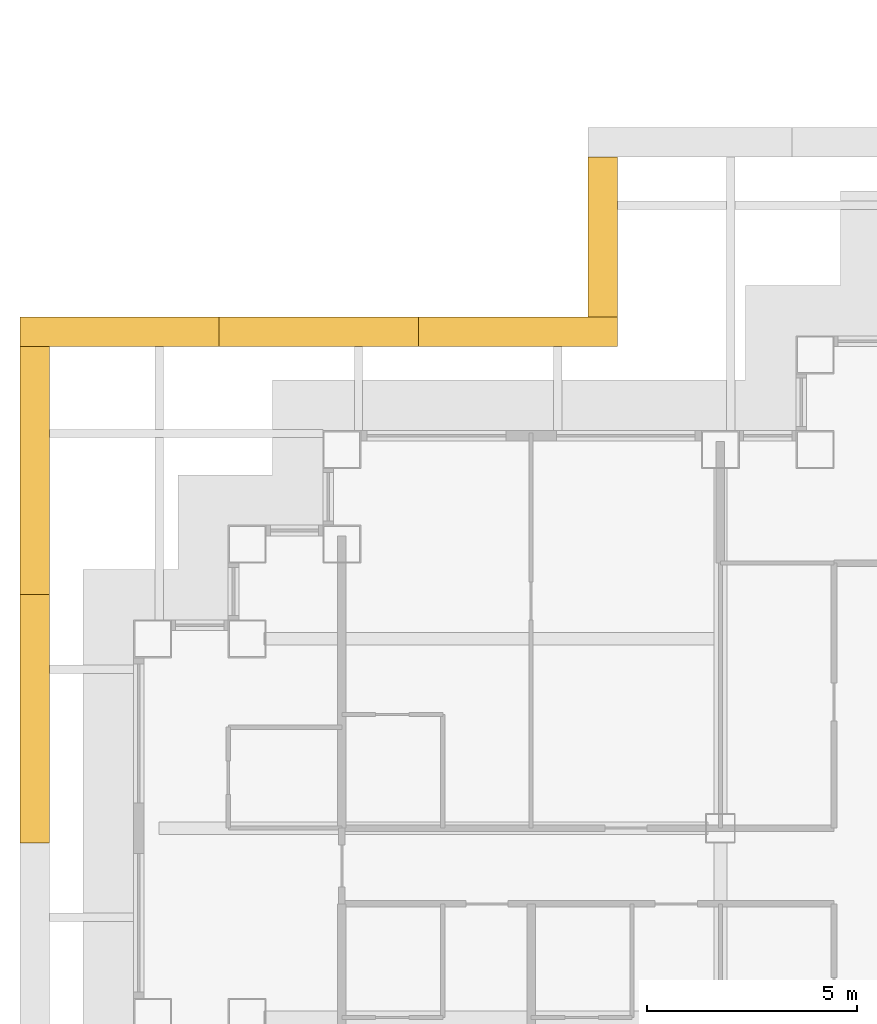
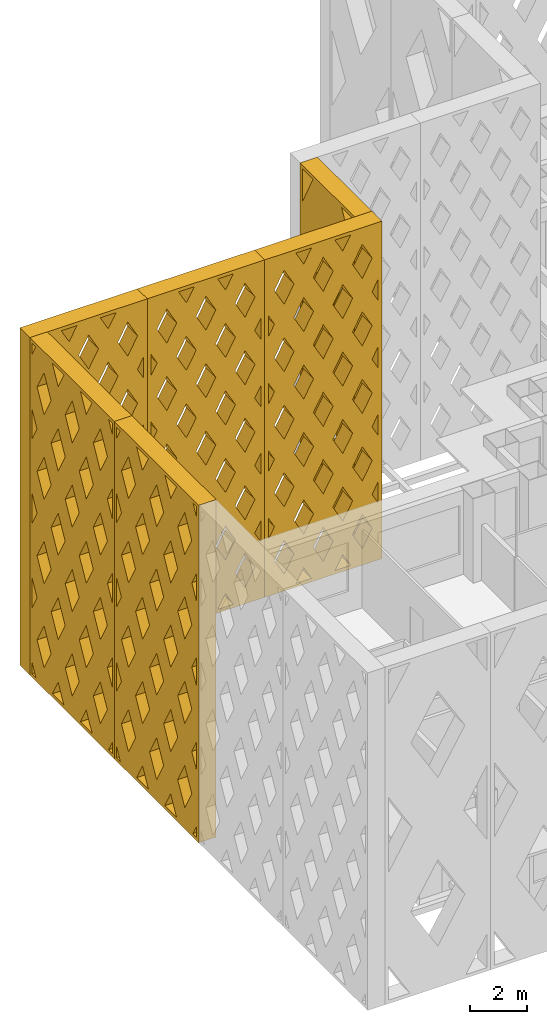
# One storey, part 17 of 21: 6 shading devices.
"""IFC4 building model written with IfcOpenShell, lengths in metres."""

from ifc_helpers import new_model, si_unit, direction, frame, origin, place, context, subcontext, project, spatial, polyline, outline, extrude, material, type_object, element, save


model = new_model("IFC4")

# Units and contexts
model_context = context("Model", 3, precision=1e-05, world=origin(), true_north=direction((0.0, 1.0)))
body_context = subcontext(model_context, "Body", "Model", "MODEL_VIEW")
ifc_project = project(units=[si_unit("LENGTHUNIT", "METRE"), si_unit("AREAUNIT", "SQUARE_METRE"), si_unit("VOLUMEUNIT", "CUBIC_METRE"), si_unit("PLANEANGLEUNIT", "RADIAN"), si_unit("MASSUNIT", "GRAM", prefix="KILO")], contexts=[model_context])

# Site, building, storey
site_placement = place(None, origin())
site = spatial("IfcSite", under=ifc_project, at=site_placement, CompositionType="ELEMENT")
building_placement = place(site_placement, origin())
building = spatial("IfcBuilding", under=site, at=building_placement, Name="Caravel Reach Hotel and Residences", CompositionType="ELEMENT")
storey_placement = place(building_placement, frame((0.0, 0.0, 100.800048828125)))
storey = spatial("IfcBuildingStorey", under=building, at=storey_placement, Name="L24", CompositionType="ELEMENT", Elevation=100.800048828125)

# Shading devices
ifc_material_1 = material(Name="Black powder-coated aluminium", Category="aluminium")
shading_device_type_1 = type_object("IfcShadingDeviceType", Name="Diamond lattice screen panel 3800 x 14400", PredefinedType="USERDEFINED", material=ifc_material_1)
shading_device_1_placement = place(storey_placement, frame((11.050048828125, 42.949951171875, 0.0), z_axis=(-1.0, 0.0, 0.0), x_axis=(0.0, -1.0, 0.0)))
element("IfcShadingDevice", 1, at=shading_device_1_placement, inside=storey, type_object=shading_device_type_1, Name="Lattice screen L24-L27 15.1", ObjectType="SCREEN", PredefinedType="USERDEFINED", context=body_context, shape_type="SweptSolid", body=[
    extrude(outline(polyline([(0.0, 0.0), (3.800048828125, 0.0), (3.800048828125, 14.39990234375), (0.0, 14.39990234375), (0.0, 0.0)]), holes=[polyline([(0.9013671875, 0.14990234375), (0.14990234375, 1.573486328125), (0.14990234375, 0.14990234375), (0.9013671875, 0.14990234375)]), polyline([(0.98046875, 7.199951171875), (0.14990234375, 8.7734375), (0.14990234375, 5.62646484375), (0.98046875, 7.199951171875)]), polyline([(0.14990234375, 12.826416015625), (0.9013671875, 14.25), (0.14990234375, 14.25), (0.14990234375, 12.826416015625)]), polyline([(1.89990234375, 5.457763671875), (0.91943359375, 3.60009765625), (1.89990234375, 1.7421875), (2.88037109375, 3.60009765625), (1.89990234375, 5.457763671875)]), polyline([(1.89990234375, 12.65771484375), (0.91943359375, 10.800048828125), (1.89990234375, 8.9423828125), (2.88037109375, 10.800048828125), (1.89990234375, 12.65771484375)]), polyline([(3.64990234375, 1.573486328125), (2.898681640625, 0.14990234375), (3.64990234375, 0.14990234375), (3.64990234375, 1.573486328125)]), polyline([(2.819580078125, 7.199951171875), (3.64990234375, 5.62646484375), (3.64990234375, 8.7734375), (2.819580078125, 7.199951171875)]), polyline([(2.898681640625, 14.25), (3.64990234375, 12.826416015625), (3.64990234375, 14.25), (2.898681640625, 14.25)])]), origin(), (0.0, 0.0, 1.0), 0.699951171875),
])
ifc_material_2 = material(Name="Black powder-coated aluminium", Category="aluminium")
shading_device_type_2 = type_object("IfcShadingDeviceType", Name="Diamond lattice screen panel 4733 x 14400", PredefinedType="USERDEFINED", material=ifc_material_2)
shading_device_2_placement = place(storey_placement, frame((11.050048828125, 38.449951171875, 0.0), z_axis=(0.0, 1.0, 0.0), x_axis=(-1.0, 0.0, 0.0)))
element("IfcShadingDevice", 2, at=shading_device_2_placement, inside=storey, type_object=shading_device_type_2, Name="Lattice screen L24-L27 16.1", ObjectType="SCREEN", PredefinedType="USERDEFINED", context=body_context, shape_type="SweptSolid", body=[
    extrude(outline(polyline([(0.0, 0.0), (4.7333984375, 0.0), (4.7333984375, 14.39990234375), (0.0, 14.39990234375), (0.0, 0.0)]), holes=[polyline([(0.39892578125, 2.8798828125), (0.14990234375, 3.334228515625), (0.14990234375, 2.42578125), (0.39892578125, 2.8798828125)]), polyline([(0.39892578125, 5.760009765625), (0.14990234375, 6.21435546875), (0.14990234375, 5.3056640625), (0.39892578125, 5.760009765625)]), polyline([(0.39892578125, 8.639892578125), (0.14990234375, 9.09423828125), (0.14990234375, 8.185791015625), (0.39892578125, 8.639892578125)]), polyline([(0.39892578125, 11.52001953125), (0.14990234375, 11.974365234375), (0.14990234375, 11.065673828125), (0.39892578125, 11.52001953125)]), polyline([(0.788818359375, 2.16796875), (0.39013671875, 1.43994140625), (0.788818359375, 0.7119140625), (1.187744140625, 1.43994140625), (0.788818359375, 2.16796875)]), polyline([(0.788818359375, 5.048095703125), (0.39013671875, 4.320068359375), (0.788818359375, 3.592041015625), (1.187744140625, 4.320068359375), (0.788818359375, 5.048095703125)]), polyline([(0.788818359375, 7.927978515625), (0.39013671875, 7.199951171875), (0.788818359375, 6.471923828125), (1.187744140625, 7.199951171875), (0.788818359375, 7.927978515625)]), polyline([(0.788818359375, 10.80810546875), (0.39013671875, 10.080078125), (0.788818359375, 9.35205078125), (1.187744140625, 10.080078125), (0.788818359375, 10.80810546875)]), polyline([(0.788818359375, 13.68798828125), (0.39013671875, 12.9599609375), (0.788818359375, 12.23193359375), (1.187744140625, 12.9599609375), (0.788818359375, 13.68798828125)]), polyline([(1.577880859375, 0.72802734375), (1.260986328125, 0.14990234375), (1.89453125, 0.14990234375), (1.577880859375, 0.72802734375)]), polyline([(1.577880859375, 3.608154296875), (1.178955078125, 2.8798828125), (1.577880859375, 2.15185546875), (1.9765625, 2.8798828125), (1.577880859375, 3.608154296875)]), polyline([(1.577880859375, 6.488037109375), (1.178955078125, 5.760009765625), (1.577880859375, 5.031982421875), (1.9765625, 5.760009765625), (1.577880859375, 6.488037109375)]), polyline([(1.577880859375, 9.3681640625), (1.178955078125, 8.639892578125), (1.577880859375, 7.911865234375), (1.9765625, 8.639892578125), (1.577880859375, 9.3681640625)]), polyline([(1.577880859375, 12.248046875), (1.178955078125, 11.52001953125), (1.577880859375, 10.7919921875), (1.9765625, 11.52001953125), (1.577880859375, 12.248046875)]), polyline([(1.577880859375, 13.671875), (1.89453125, 14.25), (1.260986328125, 14.25), (1.577880859375, 13.671875)]), polyline([(2.36669921875, 2.16796875), (1.9677734375, 1.43994140625), (2.36669921875, 0.7119140625), (2.765625, 1.43994140625), (2.36669921875, 2.16796875)]), polyline([(2.36669921875, 5.048095703125), (1.9677734375, 4.320068359375), (2.36669921875, 3.592041015625), (2.765625, 4.320068359375), (2.36669921875, 5.048095703125)]), polyline([(2.36669921875, 7.927978515625), (1.9677734375, 7.199951171875), (2.36669921875, 6.471923828125), (2.765625, 7.199951171875), (2.36669921875, 7.927978515625)]), polyline([(2.36669921875, 10.80810546875), (1.9677734375, 10.080078125), (2.36669921875, 9.35205078125), (2.765625, 10.080078125), (2.36669921875, 10.80810546875)]), polyline([(2.36669921875, 13.68798828125), (1.9677734375, 12.9599609375), (2.36669921875, 12.23193359375), (2.765625, 12.9599609375), (2.36669921875, 13.68798828125)]), polyline([(3.155517578125, 0.72802734375), (2.8388671875, 0.14990234375), (3.47216796875, 0.14990234375), (3.155517578125, 0.72802734375)]), polyline([(3.155517578125, 3.608154296875), (2.756591796875, 2.8798828125), (3.155517578125, 2.15185546875), (3.554443359375, 2.8798828125), (3.155517578125, 3.608154296875)]), polyline([(3.155517578125, 6.488037109375), (2.756591796875, 5.760009765625), (3.155517578125, 5.031982421875), (3.554443359375, 5.760009765625), (3.155517578125, 6.488037109375)]), polyline([(3.155517578125, 9.3681640625), (2.756591796875, 8.639892578125), (3.155517578125, 7.911865234375), (3.554443359375, 8.639892578125), (3.155517578125, 9.3681640625)]), polyline([(3.155517578125, 12.248046875), (2.756591796875, 11.52001953125), (3.155517578125, 10.7919921875), (3.554443359375, 11.52001953125), (3.155517578125, 12.248046875)]), polyline([(3.155517578125, 13.671875), (3.47216796875, 14.25), (2.8388671875, 14.25), (3.155517578125, 13.671875)]), polyline([(3.9443359375, 2.16796875), (3.545654296875, 1.43994140625), (3.9443359375, 0.7119140625), (4.34326171875, 1.43994140625), (3.9443359375, 2.16796875)]), polyline([(3.9443359375, 5.048095703125), (3.545654296875, 4.320068359375), (3.9443359375, 3.592041015625), (4.34326171875, 4.320068359375), (3.9443359375, 5.048095703125)]), polyline([(3.9443359375, 7.927978515625), (3.545654296875, 7.199951171875), (3.9443359375, 6.471923828125), (4.34326171875, 7.199951171875), (3.9443359375, 7.927978515625)]), polyline([(3.9443359375, 10.80810546875), (3.545654296875, 10.080078125), (3.9443359375, 9.35205078125), (4.34326171875, 10.080078125), (3.9443359375, 10.80810546875)]), polyline([(3.9443359375, 13.68798828125), (3.545654296875, 12.9599609375), (3.9443359375, 12.23193359375), (4.34326171875, 12.9599609375), (3.9443359375, 13.68798828125)]), polyline([(4.33447265625, 2.8798828125), (4.583251953125, 2.42578125), (4.583251953125, 3.334228515625), (4.33447265625, 2.8798828125)]), polyline([(4.33447265625, 5.760009765625), (4.583251953125, 5.3056640625), (4.583251953125, 6.21435546875), (4.33447265625, 5.760009765625)]), polyline([(4.33447265625, 8.639892578125), (4.583251953125, 8.185791015625), (4.583251953125, 9.09423828125), (4.33447265625, 8.639892578125)]), polyline([(4.33447265625, 11.52001953125), (4.583251953125, 11.065673828125), (4.583251953125, 11.974365234375), (4.33447265625, 11.52001953125)])]), origin(), (0.0, 0.0, 1.0), 0.699951171875),
])
shading_device_3_placement = place(storey_placement, frame((6.316650390625, 38.449951171875, 0.0), z_axis=(0.0, 1.0, 0.0), x_axis=(-1.0, 0.0, 0.0)))
element("IfcShadingDevice", 3, at=shading_device_3_placement, inside=storey, type_object=shading_device_type_2, Name="Lattice screen L24-L27 16.2", ObjectType="SCREEN", PredefinedType="USERDEFINED", context=body_context, shape_type="SweptSolid", body=[
    extrude(outline(polyline([(0.0, 0.0), (4.7333984375, 0.0), (4.7333984375, 14.39990234375), (0.0, 14.39990234375), (0.0, 0.0)]), holes=[polyline([(0.39892578125, 2.8798828125), (0.14990234375, 3.334228515625), (0.14990234375, 2.42578125), (0.39892578125, 2.8798828125)]), polyline([(0.39892578125, 5.760009765625), (0.14990234375, 6.21435546875), (0.14990234375, 5.3056640625), (0.39892578125, 5.760009765625)]), polyline([(0.39892578125, 8.639892578125), (0.14990234375, 9.09423828125), (0.14990234375, 8.185791015625), (0.39892578125, 8.639892578125)]), polyline([(0.39892578125, 11.52001953125), (0.14990234375, 11.974365234375), (0.14990234375, 11.065673828125), (0.39892578125, 11.52001953125)]), polyline([(0.788818359375, 2.16796875), (0.39013671875, 1.43994140625), (0.788818359375, 0.7119140625), (1.187744140625, 1.43994140625), (0.788818359375, 2.16796875)]), polyline([(0.788818359375, 5.048095703125), (0.39013671875, 4.320068359375), (0.788818359375, 3.592041015625), (1.187744140625, 4.320068359375), (0.788818359375, 5.048095703125)]), polyline([(0.788818359375, 7.927978515625), (0.39013671875, 7.199951171875), (0.788818359375, 6.471923828125), (1.187744140625, 7.199951171875), (0.788818359375, 7.927978515625)]), polyline([(0.788818359375, 10.80810546875), (0.39013671875, 10.080078125), (0.788818359375, 9.35205078125), (1.187744140625, 10.080078125), (0.788818359375, 10.80810546875)]), polyline([(0.788818359375, 13.68798828125), (0.39013671875, 12.9599609375), (0.788818359375, 12.23193359375), (1.187744140625, 12.9599609375), (0.788818359375, 13.68798828125)]), polyline([(1.577880859375, 0.72802734375), (1.260986328125, 0.14990234375), (1.89453125, 0.14990234375), (1.577880859375, 0.72802734375)]), polyline([(1.577880859375, 3.608154296875), (1.178955078125, 2.8798828125), (1.577880859375, 2.15185546875), (1.9765625, 2.8798828125), (1.577880859375, 3.608154296875)]), polyline([(1.577880859375, 6.488037109375), (1.178955078125, 5.760009765625), (1.577880859375, 5.031982421875), (1.9765625, 5.760009765625), (1.577880859375, 6.488037109375)]), polyline([(1.577880859375, 9.3681640625), (1.178955078125, 8.639892578125), (1.577880859375, 7.911865234375), (1.9765625, 8.639892578125), (1.577880859375, 9.3681640625)]), polyline([(1.577880859375, 12.248046875), (1.178955078125, 11.52001953125), (1.577880859375, 10.7919921875), (1.9765625, 11.52001953125), (1.577880859375, 12.248046875)]), polyline([(1.577880859375, 13.671875), (1.89453125, 14.25), (1.260986328125, 14.25), (1.577880859375, 13.671875)]), polyline([(2.36669921875, 2.16796875), (1.9677734375, 1.43994140625), (2.36669921875, 0.7119140625), (2.765625, 1.43994140625), (2.36669921875, 2.16796875)]), polyline([(2.36669921875, 5.048095703125), (1.9677734375, 4.320068359375), (2.36669921875, 3.592041015625), (2.765625, 4.320068359375), (2.36669921875, 5.048095703125)]), polyline([(2.36669921875, 7.927978515625), (1.9677734375, 7.199951171875), (2.36669921875, 6.471923828125), (2.765625, 7.199951171875), (2.36669921875, 7.927978515625)]), polyline([(2.36669921875, 10.80810546875), (1.9677734375, 10.080078125), (2.36669921875, 9.35205078125), (2.765625, 10.080078125), (2.36669921875, 10.80810546875)]), polyline([(2.36669921875, 13.68798828125), (1.9677734375, 12.9599609375), (2.36669921875, 12.23193359375), (2.765625, 12.9599609375), (2.36669921875, 13.68798828125)]), polyline([(3.155517578125, 0.72802734375), (2.8388671875, 0.14990234375), (3.47216796875, 0.14990234375), (3.155517578125, 0.72802734375)]), polyline([(3.155517578125, 3.608154296875), (2.756591796875, 2.8798828125), (3.155517578125, 2.15185546875), (3.554443359375, 2.8798828125), (3.155517578125, 3.608154296875)]), polyline([(3.155517578125, 6.488037109375), (2.756591796875, 5.760009765625), (3.155517578125, 5.031982421875), (3.554443359375, 5.760009765625), (3.155517578125, 6.488037109375)]), polyline([(3.155517578125, 9.3681640625), (2.756591796875, 8.639892578125), (3.155517578125, 7.911865234375), (3.554443359375, 8.639892578125), (3.155517578125, 9.3681640625)]), polyline([(3.155517578125, 12.248046875), (2.756591796875, 11.52001953125), (3.155517578125, 10.7919921875), (3.554443359375, 11.52001953125), (3.155517578125, 12.248046875)]), polyline([(3.155517578125, 13.671875), (3.47216796875, 14.25), (2.8388671875, 14.25), (3.155517578125, 13.671875)]), polyline([(3.9443359375, 2.16796875), (3.545654296875, 1.43994140625), (3.9443359375, 0.7119140625), (4.34326171875, 1.43994140625), (3.9443359375, 2.16796875)]), polyline([(3.9443359375, 5.048095703125), (3.545654296875, 4.320068359375), (3.9443359375, 3.592041015625), (4.34326171875, 4.320068359375), (3.9443359375, 5.048095703125)]), polyline([(3.9443359375, 7.927978515625), (3.545654296875, 7.199951171875), (3.9443359375, 6.471923828125), (4.34326171875, 7.199951171875), (3.9443359375, 7.927978515625)]), polyline([(3.9443359375, 10.80810546875), (3.545654296875, 10.080078125), (3.9443359375, 9.35205078125), (4.34326171875, 10.080078125), (3.9443359375, 10.80810546875)]), polyline([(3.9443359375, 13.68798828125), (3.545654296875, 12.9599609375), (3.9443359375, 12.23193359375), (4.34326171875, 12.9599609375), (3.9443359375, 13.68798828125)]), polyline([(4.33447265625, 2.8798828125), (4.583251953125, 2.42578125), (4.583251953125, 3.334228515625), (4.33447265625, 2.8798828125)]), polyline([(4.33447265625, 5.760009765625), (4.583251953125, 5.3056640625), (4.583251953125, 6.21435546875), (4.33447265625, 5.760009765625)]), polyline([(4.33447265625, 8.639892578125), (4.583251953125, 8.185791015625), (4.583251953125, 9.09423828125), (4.33447265625, 8.639892578125)]), polyline([(4.33447265625, 11.52001953125), (4.583251953125, 11.065673828125), (4.583251953125, 11.974365234375), (4.33447265625, 11.52001953125)])]), origin(), (0.0, 0.0, 1.0), 0.699951171875),
])
shading_device_4_placement = place(storey_placement, frame((1.583251953125, 38.449951171875, 0.0), z_axis=(0.0, 1.0, 0.0), x_axis=(-1.0, 0.0, 0.0)))
element("IfcShadingDevice", 4, at=shading_device_4_placement, inside=storey, type_object=shading_device_type_2, Name="Lattice screen L24-L27 16.3", ObjectType="SCREEN", PredefinedType="USERDEFINED", context=body_context, shape_type="SweptSolid", body=[
    extrude(outline(polyline([(0.0, 0.0), (4.7333984375, 0.0), (4.7333984375, 14.39990234375), (0.0, 14.39990234375), (0.0, 0.0)]), holes=[polyline([(0.39892578125, 2.8798828125), (0.14990234375, 3.334228515625), (0.14990234375, 2.42578125), (0.39892578125, 2.8798828125)]), polyline([(0.39892578125, 5.760009765625), (0.14990234375, 6.21435546875), (0.14990234375, 5.3056640625), (0.39892578125, 5.760009765625)]), polyline([(0.39892578125, 8.639892578125), (0.14990234375, 9.09423828125), (0.14990234375, 8.185791015625), (0.39892578125, 8.639892578125)]), polyline([(0.39892578125, 11.52001953125), (0.14990234375, 11.974365234375), (0.14990234375, 11.065673828125), (0.39892578125, 11.52001953125)]), polyline([(0.788818359375, 2.16796875), (0.39013671875, 1.43994140625), (0.788818359375, 0.7119140625), (1.187744140625, 1.43994140625), (0.788818359375, 2.16796875)]), polyline([(0.788818359375, 5.048095703125), (0.39013671875, 4.320068359375), (0.788818359375, 3.592041015625), (1.187744140625, 4.320068359375), (0.788818359375, 5.048095703125)]), polyline([(0.788818359375, 7.927978515625), (0.39013671875, 7.199951171875), (0.788818359375, 6.471923828125), (1.187744140625, 7.199951171875), (0.788818359375, 7.927978515625)]), polyline([(0.788818359375, 10.80810546875), (0.39013671875, 10.080078125), (0.788818359375, 9.35205078125), (1.187744140625, 10.080078125), (0.788818359375, 10.80810546875)]), polyline([(0.788818359375, 13.68798828125), (0.39013671875, 12.9599609375), (0.788818359375, 12.23193359375), (1.187744140625, 12.9599609375), (0.788818359375, 13.68798828125)]), polyline([(1.577880859375, 0.72802734375), (1.260986328125, 0.14990234375), (1.89453125, 0.14990234375), (1.577880859375, 0.72802734375)]), polyline([(1.577880859375, 3.608154296875), (1.178955078125, 2.8798828125), (1.577880859375, 2.15185546875), (1.9765625, 2.8798828125), (1.577880859375, 3.608154296875)]), polyline([(1.577880859375, 6.488037109375), (1.178955078125, 5.760009765625), (1.577880859375, 5.031982421875), (1.9765625, 5.760009765625), (1.577880859375, 6.488037109375)]), polyline([(1.577880859375, 9.3681640625), (1.178955078125, 8.639892578125), (1.577880859375, 7.911865234375), (1.9765625, 8.639892578125), (1.577880859375, 9.3681640625)]), polyline([(1.577880859375, 12.248046875), (1.178955078125, 11.52001953125), (1.577880859375, 10.7919921875), (1.9765625, 11.52001953125), (1.577880859375, 12.248046875)]), polyline([(1.577880859375, 13.671875), (1.89453125, 14.25), (1.260986328125, 14.25), (1.577880859375, 13.671875)]), polyline([(2.36669921875, 2.16796875), (1.9677734375, 1.43994140625), (2.36669921875, 0.7119140625), (2.765625, 1.43994140625), (2.36669921875, 2.16796875)]), polyline([(2.36669921875, 5.048095703125), (1.9677734375, 4.320068359375), (2.36669921875, 3.592041015625), (2.765625, 4.320068359375), (2.36669921875, 5.048095703125)]), polyline([(2.36669921875, 7.927978515625), (1.9677734375, 7.199951171875), (2.36669921875, 6.471923828125), (2.765625, 7.199951171875), (2.36669921875, 7.927978515625)]), polyline([(2.36669921875, 10.80810546875), (1.9677734375, 10.080078125), (2.36669921875, 9.35205078125), (2.765625, 10.080078125), (2.36669921875, 10.80810546875)]), polyline([(2.36669921875, 13.68798828125), (1.9677734375, 12.9599609375), (2.36669921875, 12.23193359375), (2.765625, 12.9599609375), (2.36669921875, 13.68798828125)]), polyline([(3.155517578125, 0.72802734375), (2.8388671875, 0.14990234375), (3.47216796875, 0.14990234375), (3.155517578125, 0.72802734375)]), polyline([(3.155517578125, 3.608154296875), (2.756591796875, 2.8798828125), (3.155517578125, 2.15185546875), (3.554443359375, 2.8798828125), (3.155517578125, 3.608154296875)]), polyline([(3.155517578125, 6.488037109375), (2.756591796875, 5.760009765625), (3.155517578125, 5.031982421875), (3.554443359375, 5.760009765625), (3.155517578125, 6.488037109375)]), polyline([(3.155517578125, 9.3681640625), (2.756591796875, 8.639892578125), (3.155517578125, 7.911865234375), (3.554443359375, 8.639892578125), (3.155517578125, 9.3681640625)]), polyline([(3.155517578125, 12.248046875), (2.756591796875, 11.52001953125), (3.155517578125, 10.7919921875), (3.554443359375, 11.52001953125), (3.155517578125, 12.248046875)]), polyline([(3.155517578125, 13.671875), (3.47216796875, 14.25), (2.8388671875, 14.25), (3.155517578125, 13.671875)]), polyline([(3.9443359375, 2.16796875), (3.545654296875, 1.43994140625), (3.9443359375, 0.7119140625), (4.34326171875, 1.43994140625), (3.9443359375, 2.16796875)]), polyline([(3.9443359375, 5.048095703125), (3.545654296875, 4.320068359375), (3.9443359375, 3.592041015625), (4.34326171875, 4.320068359375), (3.9443359375, 5.048095703125)]), polyline([(3.9443359375, 7.927978515625), (3.545654296875, 7.199951171875), (3.9443359375, 6.471923828125), (4.34326171875, 7.199951171875), (3.9443359375, 7.927978515625)]), polyline([(3.9443359375, 10.80810546875), (3.545654296875, 10.080078125), (3.9443359375, 9.35205078125), (4.34326171875, 10.080078125), (3.9443359375, 10.80810546875)]), polyline([(3.9443359375, 13.68798828125), (3.545654296875, 12.9599609375), (3.9443359375, 12.23193359375), (4.34326171875, 12.9599609375), (3.9443359375, 13.68798828125)]), polyline([(4.33447265625, 2.8798828125), (4.583251953125, 2.42578125), (4.583251953125, 3.334228515625), (4.33447265625, 2.8798828125)]), polyline([(4.33447265625, 5.760009765625), (4.583251953125, 5.3056640625), (4.583251953125, 6.21435546875), (4.33447265625, 5.760009765625)]), polyline([(4.33447265625, 8.639892578125), (4.583251953125, 8.185791015625), (4.583251953125, 9.09423828125), (4.33447265625, 8.639892578125)]), polyline([(4.33447265625, 11.52001953125), (4.583251953125, 11.065673828125), (4.583251953125, 11.974365234375), (4.33447265625, 11.52001953125)])]), origin(), (0.0, 0.0, 1.0), 0.699951171875),
])
ifc_material_3 = material(Name="Black powder-coated aluminium", Category="aluminium")
shading_device_type_3 = type_object("IfcShadingDeviceType", Name="Diamond lattice screen panel 5900 x 14400", PredefinedType="USERDEFINED", material=ifc_material_3)
shading_device_5_placement = place(storey_placement, frame((-2.449951171875, 38.449951171875, 0.0), z_axis=(-1.0, 0.0, 0.0), x_axis=(0.0, -1.0, 0.0)))
element("IfcShadingDevice", 5, at=shading_device_5_placement, inside=storey, type_object=shading_device_type_3, Name="Lattice screen L24-L27 17.1", ObjectType="SCREEN", PredefinedType="USERDEFINED", context=body_context, shape_type="SweptSolid", body=[
    extrude(outline(polyline([(0.0, 0.0), (5.89990234375, 0.0), (5.89990234375, 14.39990234375), (0.0, 14.39990234375), (0.0, 0.0)]), holes=[polyline([(0.40966796875, 0.14990234375), (0.14990234375, 0.62548828125), (0.14990234375, 0.14990234375), (0.40966796875, 0.14990234375)]), polyline([(0.49169921875, 3.60009765625), (0.14990234375, 4.2255859375), (0.14990234375, 2.974609375), (0.49169921875, 3.60009765625)]), polyline([(0.49169921875, 7.199951171875), (0.14990234375, 7.825439453125), (0.14990234375, 6.574462890625), (0.49169921875, 7.199951171875)]), polyline([(0.49169921875, 10.800048828125), (0.14990234375, 11.425537109375), (0.14990234375, 10.174560546875), (0.49169921875, 10.800048828125)]), polyline([(0.14990234375, 13.7744140625), (0.40966796875, 14.25), (0.14990234375, 14.25), (0.14990234375, 13.7744140625)]), polyline([(0.9833984375, 2.699951171875), (0.49169921875, 1.800048828125), (0.9833984375, 0.89990234375), (1.47509765625, 1.800048828125), (0.9833984375, 2.699951171875)]), polyline([(0.9833984375, 6.300048828125), (0.49169921875, 5.39990234375), (0.9833984375, 4.5), (1.47509765625, 5.39990234375), (0.9833984375, 6.300048828125)]), polyline([(0.9833984375, 9.900146484375), (0.49169921875, 9.0), (0.9833984375, 8.099853515625), (1.47509765625, 9.0), (0.9833984375, 9.900146484375)]), polyline([(0.9833984375, 13.5), (0.49169921875, 12.60009765625), (0.9833984375, 11.699951171875), (1.47509765625, 12.60009765625), (0.9833984375, 13.5)]), polyline([(1.966552734375, 0.900146484375), (1.556884765625, 0.14990234375), (2.37646484375, 0.14990234375), (1.966552734375, 0.900146484375)]), polyline([(1.966552734375, 4.5), (1.474853515625, 3.60009765625), (1.966552734375, 2.699951171875), (2.458251953125, 3.60009765625), (1.966552734375, 4.5)]), polyline([(1.966552734375, 8.10009765625), (1.474853515625, 7.199951171875), (1.966552734375, 6.300048828125), (2.458251953125, 7.199951171875), (1.966552734375, 8.10009765625)]), polyline([(1.966552734375, 11.699951171875), (1.474853515625, 10.800048828125), (1.966552734375, 9.89990234375), (2.458251953125, 10.800048828125), (1.966552734375, 11.699951171875)]), polyline([(1.966552734375, 13.5), (2.37646484375, 14.25), (1.556884765625, 14.25), (1.966552734375, 13.5)]), polyline([(2.949951171875, 2.699951171875), (2.458251953125, 1.800048828125), (2.949951171875, 0.89990234375), (3.441650390625, 1.800048828125), (2.949951171875, 2.699951171875)]), polyline([(2.949951171875, 6.300048828125), (2.458251953125, 5.39990234375), (2.949951171875, 4.5), (3.441650390625, 5.39990234375), (2.949951171875, 6.300048828125)]), polyline([(2.949951171875, 9.900146484375), (2.458251953125, 9.0), (2.949951171875, 8.099853515625), (3.441650390625, 9.0), (2.949951171875, 9.900146484375)]), polyline([(2.949951171875, 13.5), (2.458251953125, 12.60009765625), (2.949951171875, 11.699951171875), (3.441650390625, 12.60009765625), (2.949951171875, 13.5)]), polyline([(3.933349609375, 0.900146484375), (3.523681640625, 0.14990234375), (4.343017578125, 0.14990234375), (3.933349609375, 0.900146484375)]), polyline([(3.933349609375, 4.5), (3.441650390625, 3.60009765625), (3.933349609375, 2.699951171875), (4.425048828125, 3.60009765625), (3.933349609375, 4.5)]), polyline([(3.933349609375, 8.10009765625), (3.441650390625, 7.199951171875), (3.933349609375, 6.300048828125), (4.425048828125, 7.199951171875), (3.933349609375, 8.10009765625)]), polyline([(3.933349609375, 11.699951171875), (3.441650390625, 10.800048828125), (3.933349609375, 9.89990234375), (4.425048828125, 10.800048828125), (3.933349609375, 11.699951171875)]), polyline([(3.933349609375, 13.5), (4.343017578125, 14.25), (3.523681640625, 14.25), (3.933349609375, 13.5)]), polyline([(4.916748046875, 2.699951171875), (4.425048828125, 1.800048828125), (4.916748046875, 0.89990234375), (5.408447265625, 1.800048828125), (4.916748046875, 2.699951171875)]), polyline([(4.916748046875, 6.300048828125), (4.425048828125, 5.39990234375), (4.916748046875, 4.5), (5.408447265625, 5.39990234375), (4.916748046875, 6.300048828125)]), polyline([(4.916748046875, 9.900146484375), (4.425048828125, 9.0), (4.916748046875, 8.099853515625), (5.408447265625, 9.0), (4.916748046875, 9.900146484375)]), polyline([(4.916748046875, 13.5), (4.425048828125, 12.60009765625), (4.916748046875, 11.699951171875), (5.408447265625, 12.60009765625), (4.916748046875, 13.5)]), polyline([(5.75, 0.62548828125), (5.490234375, 0.14990234375), (5.75, 0.14990234375), (5.75, 0.62548828125)]), polyline([(5.408203125, 3.60009765625), (5.75, 2.974609375), (5.75, 4.2255859375), (5.408203125, 3.60009765625)]), polyline([(5.408203125, 7.199951171875), (5.75, 6.574462890625), (5.75, 7.825439453125), (5.408203125, 7.199951171875)]), polyline([(5.408203125, 10.800048828125), (5.75, 10.174560546875), (5.75, 11.425537109375), (5.408203125, 10.800048828125)]), polyline([(5.490234375, 14.25), (5.75, 13.7744140625), (5.75, 14.25), (5.490234375, 14.25)])]), origin(), (0.0, 0.0, 1.0), 0.699951171875),
])
shading_device_6_placement = place(storey_placement, frame((-2.449951171875, 32.550048828125, 0.0), z_axis=(-1.0, 0.0, 0.0), x_axis=(0.0, -1.0, 0.0)))
element("IfcShadingDevice", 6, at=shading_device_6_placement, inside=storey, type_object=shading_device_type_3, Name="Lattice screen L24-L27 17.2", ObjectType="SCREEN", PredefinedType="USERDEFINED", context=body_context, shape_type="SweptSolid", body=[
    extrude(outline(polyline([(0.0, 0.0), (5.89990234375, 0.0), (5.89990234375, 14.39990234375), (0.0, 14.39990234375), (0.0, 0.0)]), holes=[polyline([(0.40966796875, 0.14990234375), (0.14990234375, 0.62548828125), (0.14990234375, 0.14990234375), (0.40966796875, 0.14990234375)]), polyline([(0.49169921875, 3.60009765625), (0.14990234375, 4.2255859375), (0.14990234375, 2.974609375), (0.49169921875, 3.60009765625)]), polyline([(0.49169921875, 7.199951171875), (0.14990234375, 7.825439453125), (0.14990234375, 6.574462890625), (0.49169921875, 7.199951171875)]), polyline([(0.49169921875, 10.800048828125), (0.14990234375, 11.425537109375), (0.14990234375, 10.174560546875), (0.49169921875, 10.800048828125)]), polyline([(0.14990234375, 13.7744140625), (0.40966796875, 14.25), (0.14990234375, 14.25), (0.14990234375, 13.7744140625)]), polyline([(0.9833984375, 2.699951171875), (0.49169921875, 1.800048828125), (0.9833984375, 0.89990234375), (1.47509765625, 1.800048828125), (0.9833984375, 2.699951171875)]), polyline([(0.9833984375, 6.300048828125), (0.49169921875, 5.39990234375), (0.9833984375, 4.5), (1.47509765625, 5.39990234375), (0.9833984375, 6.300048828125)]), polyline([(0.9833984375, 9.900146484375), (0.49169921875, 9.0), (0.9833984375, 8.099853515625), (1.47509765625, 9.0), (0.9833984375, 9.900146484375)]), polyline([(0.9833984375, 13.5), (0.49169921875, 12.60009765625), (0.9833984375, 11.699951171875), (1.47509765625, 12.60009765625), (0.9833984375, 13.5)]), polyline([(1.966552734375, 0.900146484375), (1.556884765625, 0.14990234375), (2.37646484375, 0.14990234375), (1.966552734375, 0.900146484375)]), polyline([(1.966552734375, 4.5), (1.474853515625, 3.60009765625), (1.966552734375, 2.699951171875), (2.458251953125, 3.60009765625), (1.966552734375, 4.5)]), polyline([(1.966552734375, 8.10009765625), (1.474853515625, 7.199951171875), (1.966552734375, 6.300048828125), (2.458251953125, 7.199951171875), (1.966552734375, 8.10009765625)]), polyline([(1.966552734375, 11.699951171875), (1.474853515625, 10.800048828125), (1.966552734375, 9.89990234375), (2.458251953125, 10.800048828125), (1.966552734375, 11.699951171875)]), polyline([(1.966552734375, 13.5), (2.37646484375, 14.25), (1.556884765625, 14.25), (1.966552734375, 13.5)]), polyline([(2.949951171875, 2.699951171875), (2.458251953125, 1.800048828125), (2.949951171875, 0.89990234375), (3.441650390625, 1.800048828125), (2.949951171875, 2.699951171875)]), polyline([(2.949951171875, 6.300048828125), (2.458251953125, 5.39990234375), (2.949951171875, 4.5), (3.441650390625, 5.39990234375), (2.949951171875, 6.300048828125)]), polyline([(2.949951171875, 9.900146484375), (2.458251953125, 9.0), (2.949951171875, 8.099853515625), (3.441650390625, 9.0), (2.949951171875, 9.900146484375)]), polyline([(2.949951171875, 13.5), (2.458251953125, 12.60009765625), (2.949951171875, 11.699951171875), (3.441650390625, 12.60009765625), (2.949951171875, 13.5)]), polyline([(3.933349609375, 0.900146484375), (3.523681640625, 0.14990234375), (4.343017578125, 0.14990234375), (3.933349609375, 0.900146484375)]), polyline([(3.933349609375, 4.5), (3.441650390625, 3.60009765625), (3.933349609375, 2.699951171875), (4.425048828125, 3.60009765625), (3.933349609375, 4.5)]), polyline([(3.933349609375, 8.10009765625), (3.441650390625, 7.199951171875), (3.933349609375, 6.300048828125), (4.425048828125, 7.199951171875), (3.933349609375, 8.10009765625)]), polyline([(3.933349609375, 11.699951171875), (3.441650390625, 10.800048828125), (3.933349609375, 9.89990234375), (4.425048828125, 10.800048828125), (3.933349609375, 11.699951171875)]), polyline([(3.933349609375, 13.5), (4.343017578125, 14.25), (3.523681640625, 14.25), (3.933349609375, 13.5)]), polyline([(4.916748046875, 2.699951171875), (4.425048828125, 1.800048828125), (4.916748046875, 0.89990234375), (5.408447265625, 1.800048828125), (4.916748046875, 2.699951171875)]), polyline([(4.916748046875, 6.300048828125), (4.425048828125, 5.39990234375), (4.916748046875, 4.5), (5.408447265625, 5.39990234375), (4.916748046875, 6.300048828125)]), polyline([(4.916748046875, 9.900146484375), (4.425048828125, 9.0), (4.916748046875, 8.099853515625), (5.408447265625, 9.0), (4.916748046875, 9.900146484375)]), polyline([(4.916748046875, 13.5), (4.425048828125, 12.60009765625), (4.916748046875, 11.699951171875), (5.408447265625, 12.60009765625), (4.916748046875, 13.5)]), polyline([(5.75, 0.62548828125), (5.490234375, 0.14990234375), (5.75, 0.14990234375), (5.75, 0.62548828125)]), polyline([(5.408203125, 3.60009765625), (5.75, 2.974609375), (5.75, 4.2255859375), (5.408203125, 3.60009765625)]), polyline([(5.408203125, 7.199951171875), (5.75, 6.574462890625), (5.75, 7.825439453125), (5.408203125, 7.199951171875)]), polyline([(5.408203125, 10.800048828125), (5.75, 10.174560546875), (5.75, 11.425537109375), (5.408203125, 10.800048828125)]), polyline([(5.490234375, 14.25), (5.75, 13.7744140625), (5.75, 14.25), (5.490234375, 14.25)])]), origin(), (0.0, 0.0, 1.0), 0.699951171875),
])

save(model, "model.ifc")
